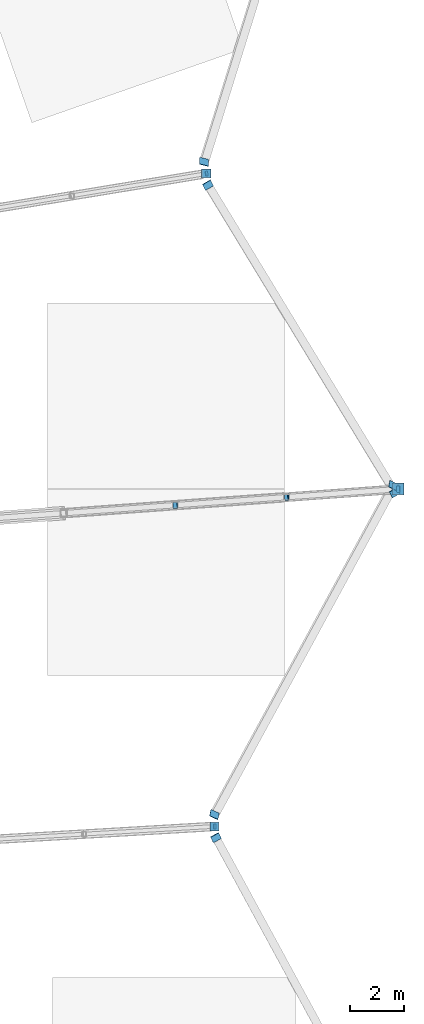
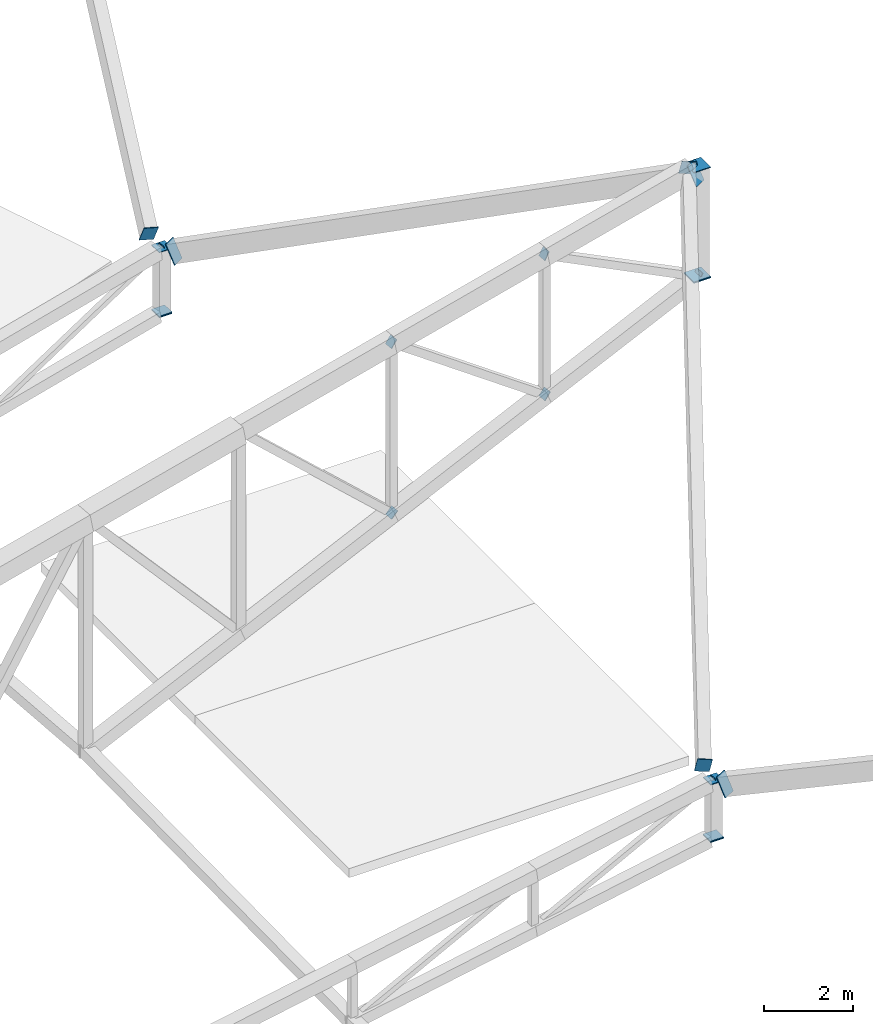
# One storey, part 184 of 188: 22 discrete accessories.
"""IFC4 building model written with IfcOpenShell, lengths in metres."""

from ifc_helpers import new_model, si_unit, direction, frame, origin, origin_2d, place, context, subcontext, project, spatial, rectangle, extrude, material, material_profile, profile_set, type_object, element, save


model = new_model("IFC4")

# Units and contexts
model_context = context("Model", 3, precision=1e-05, world=origin(), true_north=direction((0.0, 1.0)))
body_context = subcontext(model_context, "Body", "Model", "MODEL_VIEW")
ifc_project = project(units=[si_unit("LENGTHUNIT", "METRE"), si_unit("AREAUNIT", "SQUARE_METRE"), si_unit("VOLUMEUNIT", "CUBIC_METRE"), si_unit("PLANEANGLEUNIT", "RADIAN"), si_unit("MASSUNIT", "GRAM", prefix="KILO")], contexts=[model_context])

# Site, building, storey
site_placement = place(None, origin())
site = spatial("IfcSite", under=ifc_project, at=site_placement, CompositionType="ELEMENT")
building_placement = place(site_placement, origin())
building = spatial("IfcBuilding", under=site, at=building_placement, Name="Meseta Stadium", CompositionType="ELEMENT")
storey_placement = place(building_placement, frame((0.0, 0.0, 30.0)))
storey = spatial("IfcBuildingStorey", under=building, at=storey_placement, Name="ROOF", CompositionType="ELEMENT", Elevation=30.0)

# Discrete accessories
ifc_material_1 = material(Name="Steel S355", Category="steel")
ifc_material_profile_1 = material_profile(ifc_material_1, rectangle(XDim=0.179931640625, YDim=0.179931640625, at=origin_2d()), Name="PL 180x180")
ifc_profile_set_1 = profile_set([ifc_material_profile_1], Name="Steel S355")
discrete_accessory_type_1 = type_object("IfcDiscreteAccessoryType", Name="End plate 180x180x20", PredefinedType="ANCHORPLATE", material=ifc_profile_set_1)
discrete_accessory_1_placement = place(storey_placement, frame((94.60009765625, 31.25, 3.66943359375), z_axis=(0.907582711304, 0.049058524935, 0.416997461951), x_axis=(-0.053975258015, 0.998542273278, 0.0)))
element("IfcDiscreteAccessory", 1, at=discrete_accessory_1_placement, inside=storey, type_object=discrete_accessory_type_1, Name="End plate of ROOF TRUSS RT-07 diagonal", PredefinedType="ANCHORPLATE", context=body_context, shape_type="SweptSolid", body=[
    extrude(rectangle(XDim=0.179931640625, YDim=0.179931640625, at=origin_2d()), origin(), (0.0, 0.0, 1.0), 0.02001953125),
])
discrete_accessory_2_placement = place(storey_placement, frame((94.29443359375, 55.44140625, 3.664306640625), z_axis=(0.896600239651, 0.147386340765, 0.417594632166), x_axis=(-0.162206600298, 0.986756818481, 0.0)))
element("IfcDiscreteAccessory", 2, at=discrete_accessory_2_placement, inside=storey, type_object=discrete_accessory_type_1, Name="End plate of ROOF TRUSS RT-09 diagonal", PredefinedType="ANCHORPLATE", context=body_context, shape_type="SweptSolid", body=[
    extrude(rectangle(XDim=0.179931640625, YDim=0.179931640625, at=origin_2d()), origin(), (0.0, 0.0, 1.0), 0.019775390625),
])
ifc_material_2 = material(Name="Steel S355", Category="steel")
ifc_material_profile_2 = material_profile(ifc_material_2, rectangle(XDim=0.239990234375, YDim=0.239990234375, at=origin_2d()), Name="PL 240x240")
ifc_profile_set_2 = profile_set([ifc_material_profile_2], Name="Steel S355")
discrete_accessory_type_2 = type_object("IfcDiscreteAccessoryType", Name="End plate 240x240x20", PredefinedType="ANCHORPLATE", material=ifc_profile_set_2)
discrete_accessory_3_placement = place(storey_placement, frame((93.14208984375, 43.15576171875, 4.26123046875), z_axis=(0.724430977539, 0.049113964579, -0.687595504105), x_axis=(-0.067641335737, 0.997709702118, 0.0)))
element("IfcDiscreteAccessory", 3, at=discrete_accessory_3_placement, inside=storey, type_object=discrete_accessory_type_2, Name="End plate of ROOF TRUSS RT-08 diagonal", PredefinedType="ANCHORPLATE", context=body_context, shape_type="SweptSolid", body=[
    extrude(rectangle(XDim=0.239990234375, YDim=0.239990234375, at=origin_2d()), origin(), (0.0, 0.0, 1.0), 0.019775390625),
])
for number, where, z_axis, x_axis, name in (
    (4, (93.1259765625, 43.154541015625, 8.939697265625), (0.801428980321, 0.060714316691, -0.595000303572), (-0.075541112729, 0.997142688028, 0.0), "End plate of ROOF TRUSS RT-08 diagonal"),
    (5, (97.27099609375, 43.452880859375, 5.879150390625), (0.801428980321, 0.060714316691, -0.595000303572), (-0.075541112729, 0.997142688028, 0.0), "End plate of ROOF TRUSS RT-08 diagonal"),
    (6, (97.25341796875, 43.45166015625, 9.721923828125), (0.877657289595, 0.060948422889, -0.475397698531), (-0.069277598678, 0.997597420968, 0.0), "End plate of ROOF TRUSS RT-08 diagonal"),
    (7, (101.39990234375, 43.75, 7.4970703125), (0.882721561183, 0.061300108415, -0.465880823958), (-0.069277598678, 0.997597420968, 0.0), "End plate of ROOF TRUSS RT-08 diagonal"),
):
    element("IfcDiscreteAccessory", number, at=place(storey_placement, frame(where, z_axis=z_axis, x_axis=x_axis)), inside=storey, type_object=discrete_accessory_type_2, Name=name, PredefinedType="ANCHORPLATE", context=body_context, shape_type="SweptSolid", body=[
        extrude(rectangle(XDim=0.239990234375, YDim=0.239990234375, at=origin_2d()), origin(), (0.0, 0.0, 1.0), 0.02001953125),
    ])
ifc_material_3 = material(Name="Steel S355", Category="steel")
ifc_material_profile_3 = material_profile(ifc_material_3, rectangle(XDim=0.340087890625, YDim=0.340087890625, at=origin_2d()), Name="PL 340x340")
ifc_profile_set_3 = profile_set([ifc_material_profile_3], Name="Steel S355")
discrete_accessory_type_3 = type_object("IfcDiscreteAccessoryType", Name="End plate 340x340x20", PredefinedType="ANCHORPLATE", material=ifc_profile_set_3)
for number, where, z_axis, x_axis, name in (
    (8, (94.60009765625, 31.25, 2.094970703125), (0.0, 0.0, 1.0), (1.0, 0.0, 0.0), "End plate of ROOF TRUSS RT-07 post"),
    (9, (94.60009765625, 31.25, 3.66943359375), (0.0, 0.0, 1.0), (1.0, 0.0, 0.0), "End plate of ROOF TRUSS RT-07 post"),
    (10, (94.29443359375, 55.44140625, 1.887451171875), (0.0, 0.0, 1.0), (1.0, 0.0, 0.0), "End plate of ROOF TRUSS RT-09 post"),
    (11, (94.29443359375, 55.44140625, 3.664306640625), (0.0, 0.0, 1.0), (1.0, 0.0, 0.0), "End plate of ROOF TRUSS RT-09 post"),
    (12, (94.60009765625, 31.25, 2.114990234375), (0.0, 0.0, 1.0), (1.0, 0.0, 0.0), "End plate of ROOF RIM POST RT-07"),
    (13, (94.29443359375, 55.44140625, 1.907470703125), (0.0, 0.0, 1.0), (1.0, 0.0, 0.0), "End plate of ROOF RIM POST RT-09"),
):
    element("IfcDiscreteAccessory", number, at=place(storey_placement, frame(where, z_axis=z_axis, x_axis=x_axis)), inside=storey, type_object=discrete_accessory_type_3, Name=name, PredefinedType="ANCHORPLATE", context=body_context, shape_type="SweptSolid", body=[
        extrude(rectangle(XDim=0.340087890625, YDim=0.340087890625, at=origin_2d()), origin(), (0.0, 0.0, 1.0), 0.02001953125),
    ])
ifc_material_4 = material(Name="Steel S355", Category="steel")
ifc_material_profile_4 = material_profile(ifc_material_4, rectangle(XDim=0.340087890625, YDim=0.5400390625, at=origin_2d()), Name="PL 340x540")
ifc_profile_set_4 = profile_set([ifc_material_profile_4], Name="Steel S355")
discrete_accessory_type_4 = type_object("IfcDiscreteAccessoryType", Name="End plate 340x540x20", PredefinedType="ANCHORPLATE", material=ifc_profile_set_4)
for number, where, z_axis, x_axis, name in (
    (14, (94.652099609375, 30.824462890625, 3.783203125), (-0.428393042953, 0.795587079771, -0.428393042953), (-0.883144135841, -0.468941695346, 0.012252415912), "End plate of RIM RING BEAM 07"),
    (15, (94.58740234375, 31.68017578125, 3.793212890625), (0.428393042953, 0.795587079771, 0.428393042953), (-0.898795244139, 0.423973685514, 0.111415542471), "End plate of RIM RING BEAM 08"),
    (16, (101.21923828125, 43.870849609375, 10.425048828125), (0.428393042953, 0.795587079771, 0.428393042953), (-0.898795244139, 0.423973685514, 0.111415542471), "End plate of RIM RING BEAM 08"),
    (17, (101.2822265625, 43.615234375, 10.41943359375), (-0.461428806851, 0.765000390306, -0.449285943513), (-0.864423880854, -0.501636421254, 0.033648998201), "End plate of RIM RING BEAM 09"),
):
    element("IfcDiscreteAccessory", number, at=place(storey_placement, frame(where, z_axis=z_axis, x_axis=x_axis)), inside=storey, type_object=discrete_accessory_type_4, Name=name, PredefinedType="ANCHORPLATE", context=body_context, shape_type="SweptSolid", body=[
        extrude(rectangle(XDim=0.340087890625, YDim=0.5400390625, at=origin_2d()), origin(), (0.0, 0.0, 1.0), 0.02001953125),
    ])
discrete_accessory_4_placement = place(storey_placement, frame((94.358154296875, 55.00830078125, 3.79296875), z_axis=(-0.468315665525, 0.764093980593, -0.443667472602), x_axis=(-0.860728558576, -0.507943871054, 0.033754589459)))
element("IfcDiscreteAccessory", 18, at=discrete_accessory_4_placement, inside=storey, type_object=discrete_accessory_type_4, Name="End plate of RIM RING BEAM 09", PredefinedType="ANCHORPLATE", context=body_context, shape_type="SweptSolid", body=[
    extrude(rectangle(XDim=0.340087890625, YDim=0.5400390625, at=origin_2d()), origin(), (0.0, 0.0, 1.0), 0.019775390625),
])
discrete_accessory_5_placement = place(storey_placement, frame((94.20458984375, 55.86865234375, 3.800048828125), z_axis=(0.267715986725, 0.851823594126, 0.450249614038), x_axis=(-0.963205060167, 0.24813445787, 0.103272953318)))
element("IfcDiscreteAccessory", 19, at=discrete_accessory_5_placement, inside=storey, type_object=discrete_accessory_type_4, Name="End plate of RIM RING BEAM 10", PredefinedType="ANCHORPLATE", context=body_context, shape_type="SweptSolid", body=[
    extrude(rectangle(XDim=0.340087890625, YDim=0.5400390625, at=origin_2d()), origin(), (0.0, 0.0, 1.0), 0.02001953125),
])
ifc_material_5 = material(Name="Steel S355", Category="steel")
ifc_material_profile_5 = material_profile(ifc_material_5, rectangle(XDim=0.43994140625, YDim=0.43994140625, at=origin_2d()), Name="PL 440x440")
ifc_profile_set_5 = profile_set([ifc_material_profile_5], Name="Steel S355")
discrete_accessory_type_5 = type_object("IfcDiscreteAccessoryType", Name="End plate 440x440x20", PredefinedType="ANCHORPLATE", material=ifc_profile_set_5)
for number, where, z_axis, x_axis, name in (
    (20, (101.39990234375, 43.75, 7.47705078125), (0.0, 0.0, 1.0), (1.0, 0.0, 0.0), "End plate of ROOF TRUSS RT-08 post"),
    (21, (101.39990234375, 43.75, 10.4970703125), (0.0, 0.0, 1.0), (1.0, 0.0, 0.0), "End plate of ROOF TRUSS RT-08 post"),
    (22, (101.39990234375, 43.75, 7.4970703125), (0.0, 0.0, 1.0), (1.0, 0.0, 0.0), "End plate of ROOF RIM POST RT-08"),
):
    element("IfcDiscreteAccessory", number, at=place(storey_placement, frame(where, z_axis=z_axis, x_axis=x_axis)), inside=storey, type_object=discrete_accessory_type_5, Name=name, PredefinedType="ANCHORPLATE", context=body_context, shape_type="SweptSolid", body=[
        extrude(rectangle(XDim=0.43994140625, YDim=0.43994140625, at=origin_2d()), origin(), (0.0, 0.0, 1.0), 0.02001953125),
    ])

save(model, "model.ifc")
